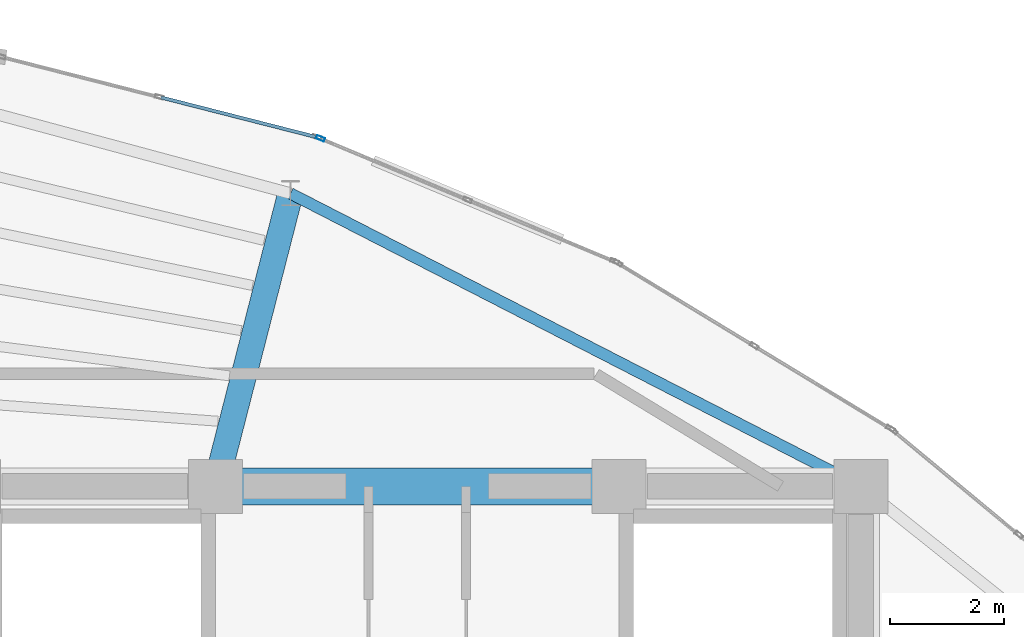
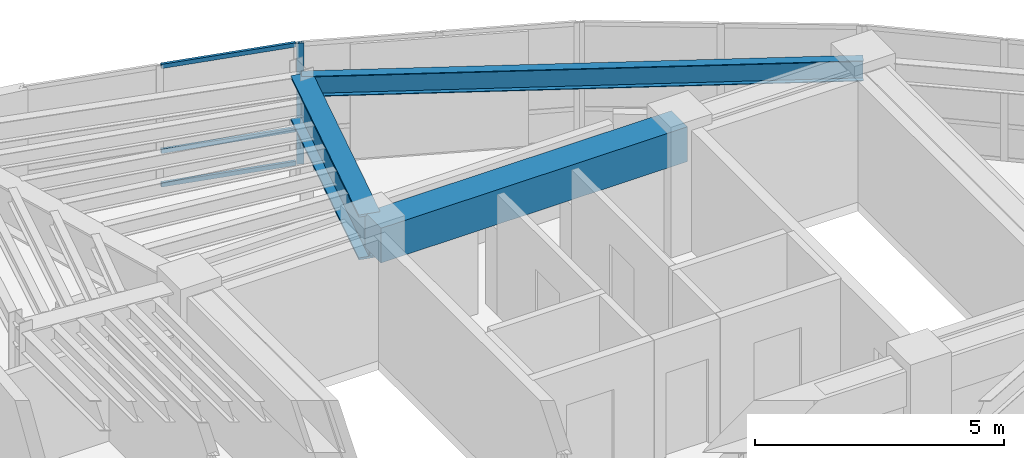
# One storey, part 8 of 13: 4 members, 3 beams, 2 elements without a shape of their own.
"""IFC4 building model written with IfcOpenShell, lengths in metres."""

from ifc_helpers import new_model, si_unit, direction, frame, origin, origin_2d, place, context, subcontext, project, spatial, rectangle, hollow_rectangle, i_section, extrude, material, layer, layer_set, material_profile, profile_set, type_object, element, aggregate, save


model = new_model("IFC4")

# Units and contexts
model_context = context("Model", 3, precision=1e-05, world=origin(), true_north=direction((0.0, 1.0)))
body_context = subcontext(model_context, "Body", "Model", "MODEL_VIEW")
ifc_project = project(units=[si_unit("LENGTHUNIT", "METRE"), si_unit("AREAUNIT", "SQUARE_METRE"), si_unit("VOLUMEUNIT", "CUBIC_METRE"), si_unit("PLANEANGLEUNIT", "RADIAN"), si_unit("MASSUNIT", "GRAM", prefix="KILO")], contexts=[model_context])

# Site, building, storey
site_placement = place(None, origin())
site = spatial("IfcSite", under=ifc_project, at=site_placement, CompositionType="ELEMENT")
building_placement = place(site_placement, origin())
building = spatial("IfcBuilding", under=site, at=building_placement, Name="Menara Vayukalpa", CompositionType="ELEMENT")
storey_placement = place(building_placement, frame((0.0, 0.0, 315.219970703125)))
storey = spatial("IfcBuildingStorey", under=building, at=storey_placement, Name="L81", CompositionType="ELEMENT", Elevation=315.219970703125)

# Beams
ifc_material_1 = material(Name="Concrete C60/75", Category="concrete")
ifc_material_profile_1 = material_profile(ifc_material_1, rectangle(XDim=0.64990234375, YDim=0.85009765625, at=origin_2d()), Name="RC 650x850")
ifc_profile_set_1 = profile_set([ifc_material_profile_1], Name="Concrete C60/75")
beam_type_1 = type_object("IfcBeamType", Name="BM-CB1", PredefinedType="BEAM", material=ifc_profile_set_1)
beam_1_placement = place(storey_placement, frame((22.050048828125, 26.800048828125, 2.534912109375), z_axis=(1.0, 0.0, 0.0), x_axis=(0.0, 1.0, 0.0)))
element("IfcBeam", 1, at=beam_1_placement, inside=storey, type_object=beam_type_1, Name="L81 Core Tie Beam CBR5", PredefinedType="BEAM", context=body_context, shape_type="SweptSolid", body=[
    extrude(rectangle(XDim=0.64990234375, YDim=0.85009765625, at=origin_2d()), origin(), (0.0, 0.0, 1.0), 7.099853515625),
])
ifc_material_2 = material(Name="Steel S460", Category="steel")
ifc_material_profile_2 = material_profile(ifc_material_2, i_section(OverallWidth=0.449951171875, OverallDepth=1.10009765625, WebThickness=0.02490234375, FlangeThickness=0.050048828125, at=origin_2d()), Name="WG 1100x450x25x50")
ifc_profile_set_2 = profile_set([ifc_material_profile_2], Name="Steel S460")
beam_type_2 = type_object("IfcBeamType", Name="BM-MTG1", PredefinedType="BEAM", material=ifc_profile_set_2)
beam_2_placement = place(storey_placement, frame((22.112060546875, 27.042236328125, 2.409912109375), z_axis=(0.248427525231, 0.968650486351, 0.0), x_axis=(-0.968650486351, 0.248427525231, 0.0)))
element("IfcBeam", 2, at=beam_2_placement, inside=storey, type_object=beam_type_2, Name="L81 Primary Radial Girder RG03", PredefinedType="BEAM", context=body_context, shape_type="SweptSolid", body=[
    extrude(i_section(OverallWidth=0.449951171875, OverallDepth=1.10009765625, WebThickness=0.02490234375, FlangeThickness=0.050048828125, at=origin_2d()), origin(), (0.0, 0.0, 1.0), 5.066162109375),
])
ifc_material_3 = material(Name="Steel S355", Category="steel")
ifc_material_profile_3 = material_profile(ifc_material_3, i_section(OverallWidth=0.199951171875, OverallDepth=0.5, WebThickness=0.010009765625, FlangeThickness=0.01611328125, at=origin_2d()), Name="WF 500x200x10x16")
ifc_profile_set_3 = profile_set([ifc_material_profile_3], Name="Steel S355")
beam_type_3 = type_object("IfcBeamType", Name="BM-SP3", PredefinedType="SPANDREL", material=ifc_profile_set_3)
beam_3_placement = place(storey_placement, frame((33.39990234375, 26.800048828125, 2.7099609375), z_axis=(-0.889594604964, 0.456750959297, 0.0), x_axis=(-0.456750959297, -0.889594604964, 0.0)))
element("IfcBeam", 3, at=beam_3_placement, inside=storey, type_object=beam_type_3, Name="L81 Perimeter Spandrel Beam SP02", PredefinedType="SPANDREL", context=body_context, shape_type="SweptSolid", body=[
    extrude(i_section(OverallWidth=0.199951171875, OverallDepth=0.5, WebThickness=0.010009765625, FlangeThickness=0.01611328125, at=origin_2d()), origin(), (0.0, 0.0, 1.0), 11.27392578125),
])

# Curtain wall, member
ifc_material_4 = material(Name="Anodised Terracotta Aluminium Alloy 6063-T6", Category="masonry")
ifc_layer = layer(ifc_material_4, 0.14990234375)
ifc_layer_set = layer_set([ifc_layer], Name="Anodised Terracotta Aluminium Alloy 6063-T6")
curtain_wall_type = type_object("IfcCurtainWallType", Name="CW-CW7", PredefinedType="USERDEFINED", material=ifc_layer_set)
curtain_wall_1_placement = place(storey_placement, origin())
curtain_wall_1 = element("IfcCurtainWall", 4, at=curtain_wall_1_placement, inside=storey, type_object=curtain_wall_type, Name="L81 Crown Drum Screened Curtain Wall CW7 05", ObjectType="UNITISED", PredefinedType="USERDEFINED")
ifc_material_5 = material(Name="Anodised Terracotta Aluminium Alloy 6063-T6", Category="masonry")
ifc_material_profile_4 = material_profile(ifc_material_5, hollow_rectangle(XDim=0.06494140625, YDim=0.14990234375, WallThickness=0.00341796875, at=origin_2d()), Name="ALU 65x150x3.5")
ifc_profile_set_4 = profile_set([ifc_material_profile_4], Name="Anodised Terracotta Aluminium Alloy 6063-T6")
member_type_1 = type_object("IfcMemberType", Name="CWM-CW7", PredefinedType="MULLION", material=ifc_profile_set_4)
member_1_placement = place(storey_placement, frame((23.89990234375, 32.9169921875, 0.0), z_axis=(0.0, 0.0, 1.0), x_axis=(-0.385898361946, -0.922541302191, 0.0)))
member_1 = element("IfcMember", 5, at=member_1_placement, type_object=member_type_1, Name="CW7 mullion 3", PredefinedType="MULLION", context=body_context, shape_type="SweptSolid", body=[
    extrude(hollow_rectangle(XDim=0.06494140625, YDim=0.14990234375, WallThickness=0.00341796875, at=origin_2d()), origin(), (0.0, 0.0, 1.0), 2.9599609375),
])
aggregate(curtain_wall_1, [member_1])

# Curtain wall, members
curtain_wall_2_placement = place(storey_placement, origin())
curtain_wall_2 = element("IfcCurtainWall", 6, at=curtain_wall_2_placement, inside=storey, type_object=curtain_wall_type, Name="L81 Crown Drum Screened Curtain Wall CW7 06", ObjectType="UNITISED", PredefinedType="USERDEFINED")
ifc_material_6 = material(Name="Anodised Terracotta Aluminium Alloy 6063-T6", Category="masonry")
ifc_material_profile_5 = material_profile(ifc_material_6, hollow_rectangle(XDim=0.06005859375, YDim=0.10498046875, WallThickness=0.0029296875, at=origin_2d()), Name="ALU 60x105x3")
ifc_profile_set_5 = profile_set([ifc_material_profile_5], Name="Anodised Terracotta Aluminium Alloy 6063-T6")
member_type_2 = type_object("IfcMemberType", Name="CWT-CW7", PredefinedType="USERDEFINED", material=ifc_profile_set_5)
member_2_placement = place(storey_placement, frame((23.806884765625, 32.945556640625, 0.030029296875), z_axis=(-0.968962149671, 0.247209127066, 0.0), x_axis=(-0.247209127066, -0.968962149671, 0.0)))
member_2 = element("IfcMember", 7, at=member_2_placement, type_object=member_type_2, Name="CW7 transom 1.1", ObjectType="TRANSOM", PredefinedType="USERDEFINED", context=body_context, shape_type="SweptSolid", body=[
    extrude(hollow_rectangle(XDim=0.06005859375, YDim=0.10498046875, WallThickness=0.0029296875, at=origin_2d()), origin(), (0.0, 0.0, 1.0), 2.80078125),
])
member_3_placement = place(storey_placement, frame((23.806884765625, 32.945556640625, 0.85009765625), z_axis=(-0.968962149671, 0.247209127066, 0.0), x_axis=(-0.247209127066, -0.968962149671, 0.0)))
member_3 = element("IfcMember", 8, at=member_3_placement, type_object=member_type_2, Name="CW7 transom 1.2", ObjectType="TRANSOM", PredefinedType="USERDEFINED", context=body_context, shape_type="SweptSolid", body=[
    extrude(hollow_rectangle(XDim=0.06005859375, YDim=0.10498046875, WallThickness=0.0029296875, at=origin_2d()), origin(), (0.0, 0.0, 1.0), 2.80078125),
])
member_4_placement = place(storey_placement, frame((23.806884765625, 32.945556640625, 2.929931640625), z_axis=(-0.968962149671, 0.247209127066, 0.0), x_axis=(-0.247209127066, -0.968962149671, 0.0)))
member_4 = element("IfcMember", 9, at=member_4_placement, type_object=member_type_2, Name="CW7 transom 1.3", ObjectType="TRANSOM", PredefinedType="USERDEFINED", context=body_context, shape_type="SweptSolid", body=[
    extrude(hollow_rectangle(XDim=0.06005859375, YDim=0.10498046875, WallThickness=0.0029296875, at=origin_2d()), origin(), (0.0, 0.0, 1.0), 2.80078125),
])
aggregate(curtain_wall_2, [member_2, member_3, member_4])

save(model, "model.ifc")
